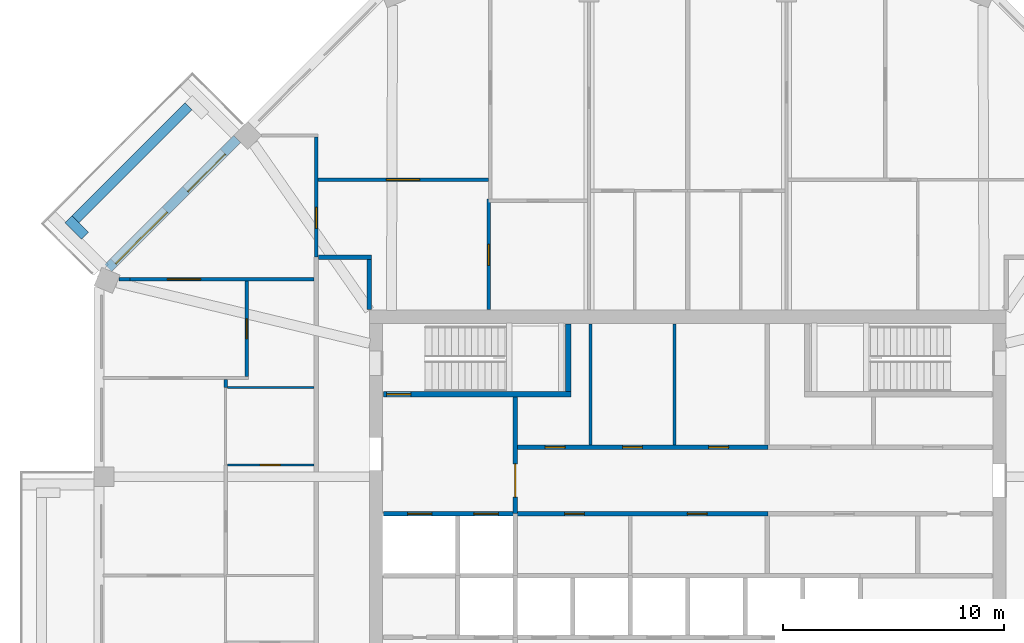
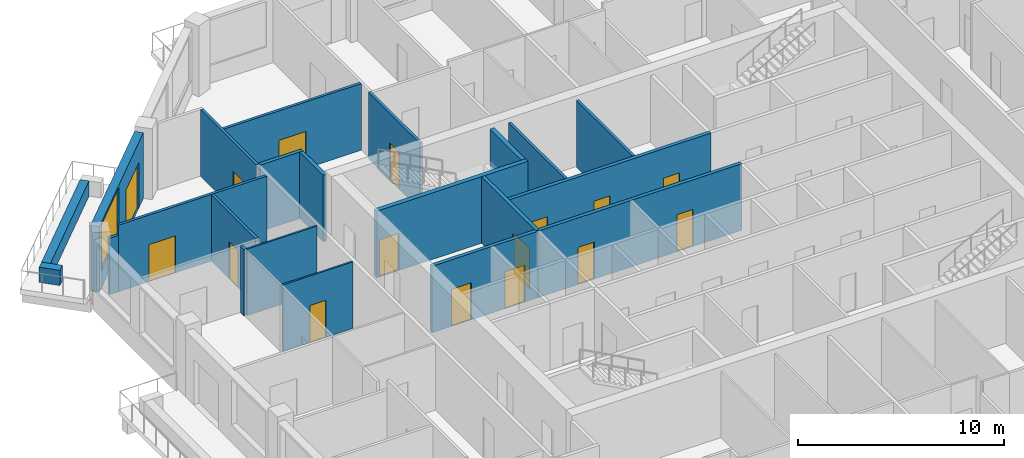
# One storey, part 7 of 12: 22 walls, 16 doors, 1 window, 17 openings.
"""IFC4 building model written with IfcOpenShell, lengths in metres."""

from ifc_helpers import new_model, si_unit, direction, frame, frame_2d, origin, place, context, subcontext, project, spatial, rectangle, extrude, material, layer, layer_set, type_object, element, fill, save


model = new_model("IFC4")

# Units and contexts
model_context = context("Model", 3, precision=1e-05, world=origin(), true_north=direction((0.0, 1.0)))
body_context = subcontext(model_context, "Body", "Model", "MODEL_VIEW")
ifc_project = project(units=[si_unit("LENGTHUNIT", "METRE"), si_unit("AREAUNIT", "SQUARE_METRE"), si_unit("VOLUMEUNIT", "CUBIC_METRE"), si_unit("PLANEANGLEUNIT", "RADIAN"), si_unit("MASSUNIT", "GRAM", prefix="KILO")], contexts=[model_context])

# Site, building, storey
site_placement = place(None, origin())
site = spatial("IfcSite", under=ifc_project, at=site_placement, CompositionType="ELEMENT")
building_placement = place(site_placement, origin())
building = spatial("IfcBuilding", under=site, at=building_placement, Name="Msitu Wima Residences", CompositionType="ELEMENT")
storey_placement = place(building_placement, frame((0.0, 0.0, 247.5)))
storey = spatial("IfcBuildingStorey", under=building, at=storey_placement, Name="L57", CompositionType="ELEMENT", Elevation=247.5)

# Walls
ifc_material_1 = material(Name="Facing brick")
ifc_layer_1 = layer(ifc_material_1, 0.06494140625, Name="Facing brick")
ifc_material_2 = material(Name="Concrete C40/50", Category="concrete")
ifc_layer_2 = layer(ifc_material_2, 0.156005859375, Name="Concrete C40/50")
ifc_material_3 = material(Name="Waterproofing membrane")
ifc_layer_3 = layer(ifc_material_3, 0.00390625, Name="Waterproofing membrane")
ifc_material_4 = material(Name="Planting soil and planting")
ifc_layer_4 = layer(ifc_material_4, 0.22509765625, Name="Planting soil and planting")
ifc_layer_set_1 = layer_set([ifc_layer_1, ifc_layer_2, ifc_layer_3, ifc_layer_4], Name="Concrete C40/50")
wall_type_1 = type_object("IfcWallType", Name="Balcony planter PLANTER PL450", PredefinedType="USERDEFINED", material=ifc_layer_set_1)
wall_1_placement = place(storey_placement, frame((-22.572265625, 21.228759765625, 0.0), z_axis=(0.0, 0.0, 1.0), x_axis=(-0.707106781187, -0.707106781187, 0.0)))
element("IfcWall", 1, at=wall_1_placement, inside=storey, type_object=wall_type_1, Name="Balcony planter NW1 L57", ObjectType="PLANTER", PredefinedType="USERDEFINED", context=body_context, shape_type="SweptSolid", body=[
    extrude(rectangle(XDim=7.23828125, YDim=0.449951171875, at=frame_2d((3.619140625, 0.0))), origin(), (0.0, 0.0, 1.0), 0.89990234375),
])
wall_2_placement = place(storey_placement, frame((-27.26611328125, 15.3681640625, 0.0), z_axis=(0.0, 0.0, 1.0), x_axis=(-0.707223014731, 0.706990528533, 0.0)))
element("IfcWall", 2, at=wall_2_placement, inside=storey, type_object=wall_type_1, Name="Balcony planter NW1 L57", ObjectType="PLANTER", PredefinedType="USERDEFINED", context=body_context, shape_type="SweptSolid", body=[
    extrude(rectangle(XDim=1.050048828125, YDim=0.449951171875, at=frame_2d((0.52490234375, 0.0))), origin(), (0.0, 0.0, 1.0), 0.89990234375),
])

# Wall, openings, door, window
ifc_material_5 = material(Name="Brick (red buff mix)", Category="masonry")
ifc_layer_5 = layer(ifc_material_5, 0.449951171875)
ifc_layer_set_2 = layer_set([ifc_layer_5], Name="Brick (red buff mix)")
wall_type_2 = type_object("IfcWallType", Name="Brick infill wall BW450", PredefinedType="SOLIDWALL", material=ifc_layer_set_2)
wall_3_placement = place(storey_placement, frame((-20.380126953125, 19.743896484375, 0.0), z_axis=(0.0, 0.0, 1.0), x_axis=(-0.707106781187, -0.707106781187, 0.0)))
wall_3 = element("IfcWall", 3, at=wall_3_placement, inside=storey, type_object=wall_type_2, Name="Brick infill wall L57 NW1", PredefinedType="SOLIDWALL", context=body_context, shape_type="SweptSolid", body=[
    extrude(rectangle(XDim=8.251220703125, YDim=0.449951171875, at=frame_2d((4.12548828125, 0.0))), origin(), (0.0, 0.0, 1.0), 3.89990234375),
])
opening_1_placement = place(wall_3_placement, frame((0.86279296875, 0.0, 0.0)))
opening_1 = element("IfcOpeningElement", 4, at=opening_1_placement, cuts=wall_3, Name="Opening D57-59.005", PredefinedType="OPENING", context=body_context, shape_type="SweptSolid", body=[
    extrude(rectangle(XDim=2.39990234375, YDim=2.699951171875, at=frame_2d((1.199951171875, 1.35009765625))), frame((0.0, 0.23486328125, 0.0), z_axis=(0.0, -1.0, 0.0), x_axis=(1.0, 0.0, 0.0)), (0.0, 0.0, 1.0), 0.469970703125),
])
opening_2_placement = place(wall_3_placement, frame((4.57568359375, 0.0, 1.050048828125)))
opening_2 = element("IfcOpeningElement", 5, at=opening_2_placement, cuts=wall_3, Name="Opening W57-59.015", PredefinedType="OPENING", context=body_context, shape_type="SweptSolid", body=[
    extrude(rectangle(XDim=3.300048828125, YDim=2.699951171875, at=frame_2d((1.64990234375, 1.35009765625))), frame((0.0, 0.23486328125, 0.0), z_axis=(0.0, -1.0, 0.0), x_axis=(1.0, 0.0, 0.0)), (0.0, 0.0, 1.0), 0.469970703125),
])
ifc_material_6 = material(Name="Anodised aluminium, bronze finish, clear low-emissivity double glazing", Category="aluminium")
door_type_1 = type_object("IfcDoorType", Name="Balcony door D2400x2700", OperationType="SLIDING_TO_LEFT", PredefinedType="DOOR", material=ifc_material_6)
door_1_placement = place(opening_1_placement, origin())
door_1 = element("IfcDoor", 6, at=door_1_placement, inside=storey, type_object=door_type_1, Name="Balcony door L57 NW1", OperationType="SINGLE_SWING_LEFT", OverallHeight=2.699951171875, OverallWidth=2.39990234375, PredefinedType="DOOR", context=body_context, shape_type="SweptSolid", body=[
    extrude(rectangle(XDim=2.39990234375, YDim=2.699951171875, at=frame_2d((1.199951171875, 1.35009765625))), frame((0.0, 0.1298828125, 0.0), z_axis=(0.0, -1.0, 0.0), x_axis=(1.0, 0.0, 0.0)), (0.0, 0.0, 1.0), 0.050048828125),
])
fill(opening_1, door_1)
window_type = type_object("IfcWindowType", Name="Window W3300x2700", PartitioningType="DOUBLE_PANEL_VERTICAL", PredefinedType="WINDOW", material=ifc_material_6)
window_placement = place(opening_2_placement, origin())
window = element("IfcWindow", 7, at=window_placement, inside=storey, type_object=window_type, Name="Window L57 NW1.2", OverallHeight=2.699951171875, OverallWidth=3.300048828125, PartitioningType="SINGLE_PANEL", PredefinedType="WINDOW", context=body_context, shape_type="SweptSolid", body=[
    extrude(rectangle(XDim=3.300048828125, YDim=2.699951171875, at=frame_2d((1.64990234375, 1.35009765625))), frame((0.0, 0.135009765625, 0.0), z_axis=(0.0, -1.0, 0.0), x_axis=(1.0, 0.0, 0.0)), (0.0, 0.0, 1.0), 0.06005859375),
])
fill(opening_2, window)

# Walls
ifc_material_7 = material(Name="Plaster")
ifc_layer_6 = layer(ifc_material_7, 0.011962890625, Name="Plaster")
ifc_material_8 = material(Name="Concrete blockwork", Category="masonry")
ifc_layer_7 = layer(ifc_material_8, 0.176025390625, Name="Concrete blockwork")
ifc_layer_8 = layer(ifc_material_7, 0.011962890625, Name="Plaster")
ifc_layer_set_3 = layer_set([ifc_layer_6, ifc_layer_7, ifc_layer_8], Name="Concrete blockwork")
wall_type_3 = type_object("IfcWallType", Name="Corridor wall FW200", PredefinedType="PARTITIONING", material=ifc_layer_set_3)
wall_4_placement = place(storey_placement, frame((-16.699951171875, 14.39990234375, 0.0), z_axis=(0.0, 0.0, 1.0), x_axis=(1.0, 0.0, 0.0)))
element("IfcWall", 8, at=wall_4_placement, inside=storey, type_object=wall_type_3, Name="Corridor wall", PredefinedType="PARTITIONING", context=body_context, shape_type="SweptSolid", body=[
    extrude(rectangle(XDim=2.39990234375, YDim=0.199951171875, at=frame_2d((1.199951171875, 0.0))), origin(), (0.0, 0.0, 1.0), 3.949951171875),
])
wall_5_placement = place(storey_placement, frame((-14.39990234375, 12.030029296875, 0.0), z_axis=(0.0, 0.0, 1.0), x_axis=(0.0, 1.0, 0.0)))
element("IfcWall", 9, at=wall_5_placement, inside=storey, type_object=wall_type_3, Name="Corridor wall", PredefinedType="PARTITIONING", context=body_context, shape_type="SweptSolid", body=[
    extrude(rectangle(XDim=2.27001953125, YDim=0.199951171875, at=frame_2d((1.135009765625, 0.0))), origin(), (0.0, 0.0, 1.0), 3.949951171875),
])

# Wall, openings, doors
wall_6_placement = place(storey_placement, frame((-7.820068359375, 2.800048828125, 0.0), z_axis=(0.0, 0.0, 1.0), x_axis=(1.0, 0.0, 0.0)))
wall_6 = element("IfcWall", 10, at=wall_6_placement, inside=storey, type_object=wall_type_3, Name="Corridor wall", PredefinedType="PARTITIONING", context=body_context, shape_type="SweptSolid", body=[
    extrude(rectangle(XDim=11.440185546875, YDim=0.199951171875, at=frame_2d((5.72021484375, 0.0))), origin(), (0.0, 0.0, 1.0), 3.949951171875),
])
opening_3_placement = place(wall_6_placement, frame((2.25, 0.0, 0.0)))
opening_3 = element("IfcOpeningElement", 11, at=opening_3_placement, cuts=wall_6, Name="Opening D57-59.079", PredefinedType="OPENING", context=body_context, shape_type="SweptSolid", body=[
    extrude(rectangle(XDim=0.89990234375, YDim=2.199951171875, at=frame_2d((0.449951171875, 1.10009765625))), frame((0.0, 0.10986328125, 0.0), z_axis=(0.0, -1.0, 0.0), x_axis=(1.0, 0.0, 0.0)), (0.0, 0.0, 1.0), 0.219970703125),
])
opening_4_placement = place(wall_6_placement, frame((7.800048828125, 0.0, 0.0)))
opening_4 = element("IfcOpeningElement", 12, at=opening_4_placement, cuts=wall_6, Name="Opening D57-59.080", PredefinedType="OPENING", context=body_context, shape_type="SweptSolid", body=[
    extrude(rectangle(XDim=0.89990234375, YDim=2.199951171875, at=frame_2d((0.449951171875, 1.10009765625))), frame((0.0, 0.10986328125, 0.0), z_axis=(0.0, -1.0, 0.0), x_axis=(1.0, 0.0, 0.0)), (0.0, 0.0, 1.0), 0.219970703125),
])
ifc_material_9 = material(Name="Timber flush door", Category="wood")
door_type_2 = type_object("IfcDoorType", Name="Service door D05 900x2200", OperationType="SINGLE_SWING_LEFT", PredefinedType="DOOR", material=ifc_material_9)
door_2_placement = place(opening_3_placement, origin())
door_2 = element("IfcDoor", 13, at=door_2_placement, inside=storey, type_object=door_type_2, Name="Service door", OperationType="SINGLE_SWING_LEFT", OverallHeight=2.199951171875, OverallWidth=0.89990234375, PredefinedType="DOOR", context=body_context, shape_type="SweptSolid", body=[
    extrude(rectangle(XDim=0.89990234375, YDim=2.199951171875, at=frame_2d((0.449951171875, 1.10009765625))), frame((0.0, 0.02490234375, 0.0), z_axis=(0.0, -1.0, 0.0), x_axis=(1.0, 0.0, 0.0)), (0.0, 0.0, 1.0), 0.050048828125),
])
fill(opening_3, door_2)
door_3_placement = place(opening_4_placement, origin())
door_3 = element("IfcDoor", 14, at=door_3_placement, inside=storey, type_object=door_type_2, Name="Service door", OperationType="SINGLE_SWING_RIGHT", OverallHeight=2.199951171875, OverallWidth=0.89990234375, PredefinedType="DOOR", context=body_context, shape_type="SweptSolid", body=[
    extrude(rectangle(XDim=0.89990234375, YDim=2.199951171875, at=frame_2d((0.449951171875, 1.10009765625))), frame((0.0, 0.02490234375, 0.0), z_axis=(0.0, -1.0, 0.0), x_axis=(1.0, 0.0, 0.0)), (0.0, 0.0, 1.0), 0.050048828125),
])
fill(opening_4, door_3)

# Wall, opening, door
wall_7_placement = place(storey_placement, frame((-7.800048828125, 2.800048828125, 0.0), z_axis=(0.0, 0.0, 1.0), x_axis=(0.0, 1.0, 0.0)))
wall_7 = element("IfcWall", 15, at=wall_7_placement, inside=storey, type_object=wall_type_3, Name="Corridor wall", PredefinedType="PARTITIONING", context=body_context, shape_type="SweptSolid", body=[
    extrude(rectangle(XDim=5.27490234375, YDim=0.199951171875, at=frame_2d((2.637451171875, 0.0))), origin(), (0.0, 0.0, 1.0), 3.949951171875),
])
opening_5_placement = place(wall_7_placement, frame((0.75, 0.0, 0.0)))
opening_5 = element("IfcOpeningElement", 16, at=opening_5_placement, cuts=wall_7, Name="Opening D57-59.065", PredefinedType="OPENING", context=body_context, shape_type="SweptSolid", body=[
    extrude(rectangle(XDim=1.5, YDim=2.39990234375, at=frame_2d((0.75, 1.199951171875))), frame((0.0, 0.10986328125, 0.0), z_axis=(0.0, -1.0, 0.0), x_axis=(1.0, 0.0, 0.0)), (0.0, 0.0, 1.0), 0.219970703125),
])
ifc_material_10 = material(Name="Steel framed glazed door, fire resisting", Category="steel")
door_type_3 = type_object("IfcDoorType", Name="Lobby door D07 1500x2400", OperationType="DOUBLE_DOOR_SINGLE_SWING", PredefinedType="DOOR", material=ifc_material_10)
door_4_placement = place(opening_5_placement, origin())
door_4 = element("IfcDoor", 17, at=door_4_placement, inside=storey, type_object=door_type_3, Name="Lobby door", OperationType="DOUBLE_DOOR_SINGLE_SWING", OverallHeight=2.39990234375, OverallWidth=1.5, PredefinedType="DOOR", context=body_context, shape_type="SweptSolid", body=[
    extrude(rectangle(XDim=1.5, YDim=2.39990234375, at=frame_2d((0.75, 1.199951171875))), frame((0.0, 0.02490234375, 0.0), z_axis=(0.0, -1.0, 0.0), x_axis=(1.0, 0.0, 0.0)), (0.0, 0.0, 1.0), 0.050048828125),
])
fill(opening_5, door_4)

# Wall, openings, doors
wall_8_placement = place(storey_placement, frame((-7.699951171875, 5.800048828125, 0.0), z_axis=(0.0, 0.0, 1.0), x_axis=(1.0, 0.0, 0.0)))
wall_8 = element("IfcWall", 18, at=wall_8_placement, inside=storey, type_object=wall_type_3, Name="Corridor wall", PredefinedType="PARTITIONING", context=body_context, shape_type="SweptSolid", body=[
    extrude(rectangle(XDim=11.320068359375, YDim=0.199951171875, at=frame_2d((5.66015625, 0.0))), origin(), (0.0, 0.0, 1.0), 3.949951171875),
])
opening_6_placement = place(wall_8_placement, frame((1.25, 0.0, 0.0)))
opening_6 = element("IfcOpeningElement", 19, at=opening_6_placement, cuts=wall_8, Name="Opening D57-59.068", PredefinedType="OPENING", context=body_context, shape_type="SweptSolid", body=[
    extrude(rectangle(XDim=0.89990234375, YDim=2.199951171875, at=frame_2d((0.449951171875, 1.10009765625))), frame((0.0, 0.10986328125, 0.0), z_axis=(0.0, -1.0, 0.0), x_axis=(1.0, 0.0, 0.0)), (0.0, 0.0, 1.0), 0.219970703125),
])
opening_7_placement = place(wall_8_placement, frame((4.75, 0.0, 0.0)))
opening_7 = element("IfcOpeningElement", 20, at=opening_7_placement, cuts=wall_8, Name="Opening D57-59.069", PredefinedType="OPENING", context=body_context, shape_type="SweptSolid", body=[
    extrude(rectangle(XDim=0.89990234375, YDim=2.199951171875, at=frame_2d((0.449951171875, 1.10009765625))), frame((0.0, 0.10986328125, 0.0), z_axis=(0.0, -1.0, 0.0), x_axis=(1.0, 0.0, 0.0)), (0.0, 0.0, 1.0), 0.219970703125),
])
opening_8_placement = place(wall_8_placement, frame((8.64990234375, 0.0, 0.0)))
opening_8 = element("IfcOpeningElement", 21, at=opening_8_placement, cuts=wall_8, Name="Opening D57-59.070", PredefinedType="OPENING", context=body_context, shape_type="SweptSolid", body=[
    extrude(rectangle(XDim=0.89990234375, YDim=2.199951171875, at=frame_2d((0.449951171875, 1.10009765625))), frame((0.0, 0.10986328125, 0.0), z_axis=(0.0, -1.0, 0.0), x_axis=(1.0, 0.0, 0.0)), (0.0, 0.0, 1.0), 0.219970703125),
])
door_5_placement = place(opening_6_placement, origin())
door_5 = element("IfcDoor", 22, at=door_5_placement, inside=storey, type_object=door_type_2, Name="Service door", OperationType="SINGLE_SWING_RIGHT", OverallHeight=2.199951171875, OverallWidth=0.89990234375, PredefinedType="DOOR", context=body_context, shape_type="SweptSolid", body=[
    extrude(rectangle(XDim=0.89990234375, YDim=2.199951171875, at=frame_2d((0.449951171875, 1.10009765625))), frame((0.0, 0.02490234375, 0.0), z_axis=(0.0, -1.0, 0.0), x_axis=(1.0, 0.0, 0.0)), (0.0, 0.0, 1.0), 0.050048828125),
])
fill(opening_6, door_5)
door_6_placement = place(opening_7_placement, origin())
door_6 = element("IfcDoor", 23, at=door_6_placement, inside=storey, type_object=door_type_2, Name="Service door", OperationType="SINGLE_SWING_LEFT", OverallHeight=2.199951171875, OverallWidth=0.89990234375, PredefinedType="DOOR", context=body_context, shape_type="SweptSolid", body=[
    extrude(rectangle(XDim=0.89990234375, YDim=2.199951171875, at=frame_2d((0.449951171875, 1.10009765625))), frame((0.0, 0.02490234375, 0.0), z_axis=(0.0, -1.0, 0.0), x_axis=(1.0, 0.0, 0.0)), (0.0, 0.0, 1.0), 0.050048828125),
])
fill(opening_7, door_6)
door_7_placement = place(opening_8_placement, origin())
door_7 = element("IfcDoor", 24, at=door_7_placement, inside=storey, type_object=door_type_2, Name="Service door", OperationType="SINGLE_SWING_LEFT", OverallHeight=2.199951171875, OverallWidth=0.89990234375, PredefinedType="DOOR", context=body_context, shape_type="SweptSolid", body=[
    extrude(rectangle(XDim=0.89990234375, YDim=2.199951171875, at=frame_2d((0.449951171875, 1.10009765625))), frame((0.0, 0.02490234375, 0.0), z_axis=(0.0, -1.0, 0.0), x_axis=(1.0, 0.0, 0.0)), (0.0, 0.0, 1.0), 0.050048828125),
])
fill(opening_8, door_7)

# Wall
ifc_layer_9 = layer(ifc_material_7, 0.011962890625, Name="Plaster")
ifc_layer_10 = layer(ifc_material_8, 0.1259765625, Name="Concrete blockwork")
ifc_layer_11 = layer(ifc_material_7, 0.011962890625, Name="Plaster")
ifc_layer_set_4 = layer_set([ifc_layer_9, ifc_layer_10, ifc_layer_11], Name="Concrete blockwork")
wall_type_4 = type_object("IfcWallType", Name="Partition PW150", PredefinedType="PARTITIONING", material=ifc_layer_set_4)
wall_9_placement = place(storey_placement, frame((-25.731201171875, 13.406005859375, 0.0), z_axis=(0.0, 0.0, 1.0), x_axis=(1.0, 0.0, 0.0)))
element("IfcWall", 25, at=wall_9_placement, inside=storey, type_object=wall_type_4, Name="Partition", PredefinedType="PARTITIONING", context=body_context, shape_type="SweptSolid", body=[
    extrude(rectangle(XDim=0.507080078125, YDim=0.14990234375, at=frame_2d((0.25341796875, 0.0))), origin(), (0.0, 0.0, 1.0), 3.35009765625),
])

# Wall, opening, door
wall_10_placement = place(storey_placement, frame((-25.22412109375, 13.406005859375, 0.0), z_axis=(0.0, 0.0, 1.0), x_axis=(1.0, 0.0, 0.0)))
wall_10 = element("IfcWall", 26, at=wall_10_placement, inside=storey, type_object=wall_type_4, Name="Partition", PredefinedType="PARTITIONING", context=body_context, shape_type="SweptSolid", body=[
    extrude(rectangle(XDim=8.32421875, YDim=0.14990234375, at=frame_2d((4.162109375, 0.0))), origin(), (0.0, 0.0, 1.0), 3.949951171875),
])
opening_9_placement = place(wall_10_placement, frame((1.69287109375, 0.0, 0.0)))
opening_9 = element("IfcOpeningElement", 27, at=opening_9_placement, cuts=wall_10, Name="Opening D57-59.048", PredefinedType="OPENING", context=body_context, shape_type="SweptSolid", body=[
    extrude(rectangle(XDim=1.5, YDim=2.199951171875, at=frame_2d((0.75, 1.10009765625))), frame((0.0, 0.0849609375, 0.0), z_axis=(0.0, -1.0, 0.0), x_axis=(1.0, 0.0, 0.0)), (0.0, 0.0, 1.0), 0.169921875),
])
ifc_material_11 = material(Name="Timber double door", Category="wood")
door_type_4 = type_object("IfcDoorType", Name="Double door D04 1500x2200", OperationType="DOUBLE_DOOR_SINGLE_SWING", PredefinedType="DOOR", material=ifc_material_11)
door_8_placement = place(opening_9_placement, origin())
door_8 = element("IfcDoor", 28, at=door_8_placement, inside=storey, type_object=door_type_4, Name="Double door", OperationType="DOUBLE_DOOR_SINGLE_SWING", OverallHeight=2.199951171875, OverallWidth=1.5, PredefinedType="DOOR", context=body_context, shape_type="SweptSolid", body=[
    extrude(rectangle(XDim=1.5, YDim=2.199951171875, at=frame_2d((0.75, 1.10009765625))), frame((0.0, 0.02490234375, 0.0), z_axis=(0.0, -1.0, 0.0), x_axis=(1.0, 0.0, 0.0)), (0.0, 0.0, 1.0), 0.050048828125),
])
fill(opening_9, door_8)

# Wall
wall_11_placement = place(storey_placement, frame((-20.89990234375, 8.5, 0.0), z_axis=(0.0, 0.0, 1.0), x_axis=(0.0, 1.0, 0.0)))
element("IfcWall", 29, at=wall_11_placement, inside=storey, type_object=wall_type_4, Name="Partition", PredefinedType="PARTITIONING", context=body_context, shape_type="SweptSolid", body=[
    extrude(rectangle(XDim=0.3623046875, YDim=0.14990234375, at=frame_2d((0.18115234375, 0.0))), origin(), (0.0, 0.0, 1.0), 3.949951171875),
])

# Wall, opening, door
wall_12_placement = place(storey_placement, frame((-19.949951171875, 9.01220703125, 0.0), z_axis=(0.0, 0.0, 1.0), x_axis=(0.0, 1.0, 0.0)))
wall_12 = element("IfcWall", 30, at=wall_12_placement, inside=storey, type_object=wall_type_4, Name="Partition", PredefinedType="PARTITIONING", context=body_context, shape_type="SweptSolid", body=[
    extrude(rectangle(XDim=4.318603515625, YDim=0.14990234375, at=frame_2d((2.1591796875, 0.0))), origin(), (0.0, 0.0, 1.0), 3.949951171875),
])
opening_10_placement = place(wall_12_placement, frame((1.699951171875, 0.0, 0.0)))
opening_10 = element("IfcOpeningElement", 31, at=opening_10_placement, cuts=wall_12, Name="Opening D57-59.032", PredefinedType="OPENING", context=body_context, shape_type="SweptSolid", body=[
    extrude(rectangle(XDim=0.89990234375, YDim=2.199951171875, at=frame_2d((0.449951171875, 1.10009765625))), frame((0.0, 0.0849609375, 0.0), z_axis=(0.0, -1.0, 0.0), x_axis=(1.0, 0.0, 0.0)), (0.0, 0.0, 1.0), 0.169921875),
])
door_9_placement = place(opening_10_placement, origin())
door_9 = element("IfcDoor", 32, at=door_9_placement, inside=storey, type_object=door_type_2, Name="Service door", OperationType="SINGLE_SWING_LEFT", OverallHeight=2.199951171875, OverallWidth=0.89990234375, PredefinedType="DOOR", context=body_context, shape_type="SweptSolid", body=[
    extrude(rectangle(XDim=0.89990234375, YDim=2.199951171875, at=frame_2d((0.449951171875, 1.10009765625))), frame((0.0, 0.02490234375, 0.0), z_axis=(0.0, -1.0, 0.0), x_axis=(1.0, 0.0, 0.0)), (0.0, 0.0, 1.0), 0.050048828125),
])
fill(opening_10, door_9)

wall_13_placement = place(storey_placement, frame((-16.800048828125, 14.39990234375, 0.0), z_axis=(0.0, 0.0, 1.0), x_axis=(0.0, 1.0, 0.0)))
wall_13 = element("IfcWall", 33, at=wall_13_placement, inside=storey, type_object=wall_type_4, Name="Partition", PredefinedType="PARTITIONING", context=body_context, shape_type="SweptSolid", body=[
    extrude(rectangle(XDim=5.427978515625, YDim=0.14990234375, at=frame_2d((2.7138671875, 0.0))), origin(), (0.0, 0.0, 1.0), 3.949951171875),
])
opening_11_placement = place(wall_13_placement, frame((1.300048828125, 0.0, 0.0)))
opening_11 = element("IfcOpeningElement", 34, at=opening_11_placement, cuts=wall_13, Name="Opening D57-59.028", PredefinedType="OPENING", context=body_context, shape_type="SweptSolid", body=[
    extrude(rectangle(XDim=0.949951171875, YDim=2.199951171875, at=frame_2d((0.47509765625, 1.10009765625))), frame((0.0, 0.0849609375, 0.0), z_axis=(0.0, -1.0, 0.0), x_axis=(1.0, 0.0, 0.0)), (0.0, 0.0, 1.0), 0.169921875),
])
door_type_5 = type_object("IfcDoorType", Name="Room door D12 950x2200", OperationType="SINGLE_SWING_LEFT", PredefinedType="DOOR", material=ifc_material_9)
door_10_placement = place(opening_11_placement, origin())
door_10 = element("IfcDoor", 35, at=door_10_placement, inside=storey, type_object=door_type_5, Name="Room door", OperationType="SINGLE_SWING_LEFT", OverallHeight=2.199951171875, OverallWidth=0.949951171875, PredefinedType="DOOR", context=body_context, shape_type="SweptSolid", body=[
    extrude(rectangle(XDim=0.949951171875, YDim=2.199951171875, at=frame_2d((0.47509765625, 1.10009765625))), frame((0.0, 0.02490234375, 0.0), z_axis=(0.0, -1.0, 0.0), x_axis=(1.0, 0.0, 0.0)), (0.0, 0.0, 1.0), 0.050048828125),
])
fill(opening_11, door_10)

wall_14_placement = place(storey_placement, frame((-16.72509765625, 17.89990234375, 0.0), z_axis=(0.0, 0.0, 1.0), x_axis=(1.0, 0.0, 0.0)))
wall_14 = element("IfcWall", 36, at=wall_14_placement, inside=storey, type_object=wall_type_4, Name="Partition", PredefinedType="PARTITIONING", context=body_context, shape_type="SweptSolid", body=[
    extrude(rectangle(XDim=7.712890625, YDim=0.14990234375, at=frame_2d((3.8564453125, 0.0))), origin(), (0.0, 0.0, 1.0), 3.949951171875),
])
opening_12_placement = place(wall_14_placement, frame((3.10009765625, 0.0, 0.0)))
opening_12 = element("IfcOpeningElement", 37, at=opening_12_placement, cuts=wall_14, Name="Opening D57-59.029", PredefinedType="OPENING", context=body_context, shape_type="SweptSolid", body=[
    extrude(rectangle(XDim=1.5, YDim=2.199951171875, at=frame_2d((0.75, 1.10009765625))), frame((0.0, 0.0849609375, 0.0), z_axis=(0.0, -1.0, 0.0), x_axis=(1.0, 0.0, 0.0)), (0.0, 0.0, 1.0), 0.169921875),
])
door_11_placement = place(opening_12_placement, origin())
door_11 = element("IfcDoor", 38, at=door_11_placement, inside=storey, type_object=door_type_4, Name="Double door", OperationType="DOUBLE_DOOR_SINGLE_SWING", OverallHeight=2.199951171875, OverallWidth=1.5, PredefinedType="DOOR", context=body_context, shape_type="SweptSolid", body=[
    extrude(rectangle(XDim=1.5, YDim=2.199951171875, at=frame_2d((0.75, 1.10009765625))), frame((0.0, 0.02490234375, 0.0), z_axis=(0.0, -1.0, 0.0), x_axis=(1.0, 0.0, 0.0)), (0.0, 0.0, 1.0), 0.050048828125),
])
fill(opening_12, door_11)

wall_15_placement = place(storey_placement, frame((-9.0, 12.030029296875, 0.0), z_axis=(0.0, 0.0, 1.0), x_axis=(0.0, 1.0, 0.0)))
wall_15 = element("IfcWall", 39, at=wall_15_placement, inside=storey, type_object=wall_type_4, Name="Partition", PredefinedType="PARTITIONING", context=body_context, shape_type="SweptSolid", body=[
    extrude(rectangle(XDim=4.994873046875, YDim=0.14990234375, at=frame_2d((2.49755859375, 0.0))), origin(), (0.0, 0.0, 1.0), 3.949951171875),
])
opening_13_placement = place(wall_15_placement, frame((2.0, 0.0, 0.0)))
opening_13 = element("IfcOpeningElement", 40, at=opening_13_placement, cuts=wall_15, Name="Opening D57-59.034", PredefinedType="OPENING", context=body_context, shape_type="SweptSolid", body=[
    extrude(rectangle(XDim=0.949951171875, YDim=2.199951171875, at=frame_2d((0.47509765625, 1.10009765625))), frame((0.0, 0.0849609375, 0.0), z_axis=(0.0, -1.0, 0.0), x_axis=(1.0, 0.0, 0.0)), (0.0, 0.0, 1.0), 0.169921875),
])
door_12_placement = place(opening_13_placement, origin())
door_12 = element("IfcDoor", 41, at=door_12_placement, inside=storey, type_object=door_type_5, Name="Room door", OperationType="SINGLE_SWING_LEFT", OverallHeight=2.199951171875, OverallWidth=0.949951171875, PredefinedType="DOOR", context=body_context, shape_type="SweptSolid", body=[
    extrude(rectangle(XDim=0.949951171875, YDim=2.199951171875, at=frame_2d((0.47509765625, 1.10009765625))), frame((0.0, 0.02490234375, 0.0), z_axis=(0.0, -1.0, 0.0), x_axis=(1.0, 0.0, 0.0)), (0.0, 0.0, 1.0), 0.050048828125),
])
fill(opening_13, door_12)

# Walls
for number, where, z_axis, x_axis, name in (
    (42, (-4.39990234375, 5.89990234375, 0.0), (0.0, 0.0, 1.0), (0.0, 1.0, 0.0), "Partition"),
    (43, (-0.60009765625, 5.89990234375, 0.0), (0.0, 0.0, 1.0), (0.0, 1.0, 0.0), "Partition"),
):
    element("IfcWall", number, at=place(storey_placement, frame(where, z_axis=z_axis, x_axis=x_axis)), inside=storey, type_object=wall_type_4, Name=name, PredefinedType="PARTITIONING", context=body_context, shape_type="SweptSolid", body=[
        extrude(rectangle(XDim=5.47021484375, YDim=0.14990234375, at=frame_2d((2.735107421875, 0.0))), origin(), (0.0, 0.0, 1.0), 3.949951171875),
    ])

# Wall, openings, doors
ifc_material_12 = material(Name="Fire-rated board")
ifc_layer_12 = layer(ifc_material_12, 0.02490234375, Name="Fire-rated board")
ifc_material_13 = material(Name="Light-gauge stud framing with mineral wool")
ifc_layer_13 = layer(ifc_material_13, 0.14990234375, Name="Light-gauge stud framing with mineral wool")
ifc_layer_14 = layer(ifc_material_12, 0.02490234375, Name="Fire-rated board")
ifc_layer_set_5 = layer_set([ifc_layer_12, ifc_layer_13, ifc_layer_14], Name="Light-gauge stud framing with mineral wool")
wall_type_5 = type_object("IfcWallType", Name="Shaft wall SH200", PredefinedType="PARTITIONING", material=ifc_layer_set_5)
wall_16_placement = place(storey_placement, frame((-13.77001953125, 2.800048828125, 0.0), z_axis=(0.0, 0.0, 1.0), x_axis=(1.0, 0.0, 0.0)))
wall_16 = element("IfcWall", 44, at=wall_16_placement, inside=storey, type_object=wall_type_5, Name="Shaft wall", PredefinedType="PARTITIONING", context=body_context, shape_type="SweptSolid", body=[
    extrude(rectangle(XDim=5.949951171875, YDim=0.199951171875, at=frame_2d((2.97509765625, 0.0))), origin(), (0.0, 0.0, 1.0), 3.949951171875),
])
opening_14_placement = place(wall_16_placement, frame((1.10009765625, 0.0, 0.0)))
opening_14 = element("IfcOpeningElement", 45, at=opening_14_placement, cuts=wall_16, Name="Opening LD", PredefinedType="OPENING", context=body_context, shape_type="SweptSolid", body=[
    extrude(rectangle(XDim=1.10009765625, YDim=2.199951171875, at=frame_2d((0.550048828125, 1.10009765625))), frame((0.0, 0.10986328125, 0.0), z_axis=(0.0, -1.0, 0.0), x_axis=(1.0, 0.0, 0.0)), (0.0, 0.0, 1.0), 0.219970703125),
])
opening_15_placement = place(wall_16_placement, frame((4.10009765625, 0.0, 0.0)))
opening_15 = element("IfcOpeningElement", 46, at=opening_15_placement, cuts=wall_16, Name="Opening LD", PredefinedType="OPENING", context=body_context, shape_type="SweptSolid", body=[
    extrude(rectangle(XDim=1.10009765625, YDim=2.199951171875, at=frame_2d((0.550048828125, 1.10009765625))), frame((0.0, 0.10986328125, 0.0), z_axis=(0.0, -1.0, 0.0), x_axis=(1.0, 0.0, 0.0)), (0.0, 0.0, 1.0), 0.219970703125),
])
ifc_material_14 = material(Name="Stainless steel centre-opening landing door, rated", Category="steel")
door_type_6 = type_object("IfcDoorType", Name="Lift landing door LD 1100x2200", OperationType="DOUBLE_DOOR_SLIDING", PredefinedType="DOOR", material=ifc_material_14)
door_13_placement = place(opening_14_placement, origin())
door_13 = element("IfcDoor", 47, at=door_13_placement, inside=storey, type_object=door_type_6, Name="Lift landing door LD1", OperationType="DOUBLE_DOOR_SLIDING", OverallHeight=2.199951171875, OverallWidth=1.10009765625, PredefinedType="DOOR", context=body_context, shape_type="SweptSolid", body=[
    extrude(rectangle(XDim=1.10009765625, YDim=2.199951171875, at=frame_2d((0.550048828125, 1.10009765625))), frame((0.0, 0.02490234375, 0.0), z_axis=(0.0, -1.0, 0.0), x_axis=(1.0, 0.0, 0.0)), (0.0, 0.0, 1.0), 0.050048828125),
])
fill(opening_14, door_13)
door_14_placement = place(opening_15_placement, origin())
door_14 = element("IfcDoor", 48, at=door_14_placement, inside=storey, type_object=door_type_6, Name="Lift landing door LD2", OperationType="DOUBLE_DOOR_SLIDING", OverallHeight=2.199951171875, OverallWidth=1.10009765625, PredefinedType="DOOR", context=body_context, shape_type="SweptSolid", body=[
    extrude(rectangle(XDim=1.10009765625, YDim=2.199951171875, at=frame_2d((0.550048828125, 1.10009765625))), frame((0.0, 0.02490234375, 0.0), z_axis=(0.0, -1.0, 0.0), x_axis=(1.0, 0.0, 0.0)), (0.0, 0.0, 1.0), 0.050048828125),
])
fill(opening_15, door_14)

# Wall, opening, door
ifc_material_15 = material(Name="Concrete C50/60", Category="concrete")
ifc_layer_15 = layer(ifc_material_15, 0.25)
ifc_layer_set_6 = layer_set([ifc_layer_15], Name="Concrete C50/60")
wall_type_6 = type_object("IfcWallType", Name="Stair enclosure wall SW250", PredefinedType="SHEAR", material=ifc_layer_set_6)
wall_17_placement = place(storey_placement, frame((-13.77001953125, 8.199951171875, 0.0), z_axis=(0.0, 0.0, 1.0), x_axis=(1.0, 0.0, 0.0)))
wall_17 = element("IfcWall", 49, at=wall_17_placement, inside=storey, type_object=wall_type_6, Name="Stair enclosure wall", PredefinedType="SHEAR", context=body_context, shape_type="SweptSolid", body=[
    extrude(rectangle(XDim=8.4951171875, YDim=0.25, at=frame_2d((4.24755859375, 0.0))), origin(), (0.0, 0.0, 1.0), 3.949951171875),
])
opening_16_placement = place(wall_17_placement, frame((0.14990234375, 0.0, 0.0)))
opening_16 = element("IfcOpeningElement", 50, at=opening_16_placement, cuts=wall_17, Name="Opening D57-59.085", PredefinedType="OPENING", context=body_context, shape_type="SweptSolid", body=[
    extrude(rectangle(XDim=1.10009765625, YDim=2.199951171875, at=frame_2d((0.550048828125, 1.10009765625))), frame((0.0, 0.135009765625, 0.0), z_axis=(0.0, -1.0, 0.0), x_axis=(1.0, 0.0, 0.0)), (0.0, 0.0, 1.0), 0.27001953125),
])
ifc_material_16 = material(Name="Steel door, fire resisting, panic bar", Category="steel")
door_type_7 = type_object("IfcDoorType", Name="Stair door D06 1100x2200", OperationType="SINGLE_SWING_LEFT", PredefinedType="DOOR", material=ifc_material_16)
door_15_placement = place(opening_16_placement, origin())
door_15 = element("IfcDoor", 51, at=door_15_placement, inside=storey, type_object=door_type_7, Name="Stair door", OperationType="SINGLE_SWING_LEFT", OverallHeight=2.199951171875, OverallWidth=1.10009765625, PredefinedType="DOOR", context=body_context, shape_type="SweptSolid", body=[
    extrude(rectangle(XDim=1.10009765625, YDim=2.199951171875, at=frame_2d((0.550048828125, 1.10009765625))), frame((0.0, 0.02490234375, 0.0), z_axis=(0.0, -1.0, 0.0), x_axis=(1.0, 0.0, 0.0)), (0.0, 0.0, 1.0), 0.050048828125),
])
fill(opening_16, door_15)

# Wall
wall_18_placement = place(storey_placement, frame((-5.39990234375, 8.324951171875, 0.0), z_axis=(0.0, 0.0, 1.0), x_axis=(0.0, 1.0, 0.0)))
element("IfcWall", 52, at=wall_18_placement, inside=storey, type_object=wall_type_6, Name="Stair enclosure wall", PredefinedType="SHEAR", context=body_context, shape_type="SweptSolid", body=[
    extrude(rectangle(XDim=3.045166015625, YDim=0.25, at=frame_2d((1.5224609375, 0.0))), origin(), (0.0, 0.0, 1.0), 3.949951171875),
])

# Wall, opening, door
ifc_material_17 = material(Name="Ceramic tiles")
ifc_layer_16 = layer(ifc_material_17, 0.008056640625, Name="Ceramic tiles")
ifc_material_18 = material(Name="Moisture-resistant board")
ifc_layer_17 = layer(ifc_material_18, 0.012451171875, Name="Moisture-resistant board")
ifc_layer_18 = layer(ifc_material_13, 0.06689453125, Name="Light-gauge stud framing with mineral wool")
ifc_layer_19 = layer(ifc_material_18, 0.012451171875, Name="Moisture-resistant board")
ifc_layer_set_7 = layer_set([ifc_layer_16, ifc_layer_17, ifc_layer_18, ifc_layer_19], Name="Light-gauge stud framing with mineral wool")
wall_type_7 = type_object("IfcWallType", Name="Wet wall PW100", PredefinedType="PARTITIONING", material=ifc_layer_set_7)
wall_19_placement = place(storey_placement, frame((-20.824951171875, 5.0, 0.0), z_axis=(0.0, 0.0, 1.0), x_axis=(1.0, 0.0, 0.0)))
wall_19 = element("IfcWall", 53, at=wall_19_placement, inside=storey, type_object=wall_type_7, Name="Wet wall", PredefinedType="PARTITIONING", context=body_context, shape_type="SweptSolid", body=[
    extrude(rectangle(XDim=3.925048828125, YDim=0.10009765625, at=frame_2d((1.96240234375, 0.0))), origin(), (0.0, 0.0, 1.0), 3.949951171875),
])
opening_17_placement = place(wall_19_placement, frame((1.5, 0.0, 0.0)))
opening_17 = element("IfcOpeningElement", 54, at=opening_17_placement, cuts=wall_19, Name="Opening D57-59.031", PredefinedType="OPENING", context=body_context, shape_type="SweptSolid", body=[
    extrude(rectangle(XDim=0.89990234375, YDim=2.199951171875, at=frame_2d((0.449951171875, 1.10009765625))), frame((0.0, 0.06005859375, 0.0), z_axis=(0.0, -1.0, 0.0), x_axis=(1.0, 0.0, 0.0)), (0.0, 0.0, 1.0), 0.1201171875),
])
door_16_placement = place(opening_17_placement, origin())
door_16 = element("IfcDoor", 55, at=door_16_placement, inside=storey, type_object=door_type_2, Name="Service door", OperationType="SINGLE_SWING_RIGHT", OverallHeight=2.199951171875, OverallWidth=0.89990234375, PredefinedType="DOOR", context=body_context, shape_type="SweptSolid", body=[
    extrude(rectangle(XDim=0.89990234375, YDim=2.199951171875, at=frame_2d((0.449951171875, 1.10009765625))), frame((0.0, 0.02490234375, 0.0), z_axis=(0.0, -1.0, 0.0), x_axis=(1.0, 0.0, 0.0)), (0.0, 0.0, 1.0), 0.050048828125),
])
fill(opening_17, door_16)

# Wall
wall_20_placement = place(storey_placement, frame((-20.824951171875, 8.5, 0.0), z_axis=(0.0, 0.0, 1.0), x_axis=(1.0, 0.0, 0.0)))
element("IfcWall", 56, at=wall_20_placement, inside=storey, type_object=wall_type_7, Name="Wet wall", PredefinedType="PARTITIONING", context=body_context, shape_type="SweptSolid", body=[
    extrude(rectangle(XDim=3.925048828125, YDim=0.10009765625, at=frame_2d((1.96240234375, 0.0))), origin(), (0.0, 0.0, 1.0), 3.949951171875),
])

save(model, "model.ifc")
